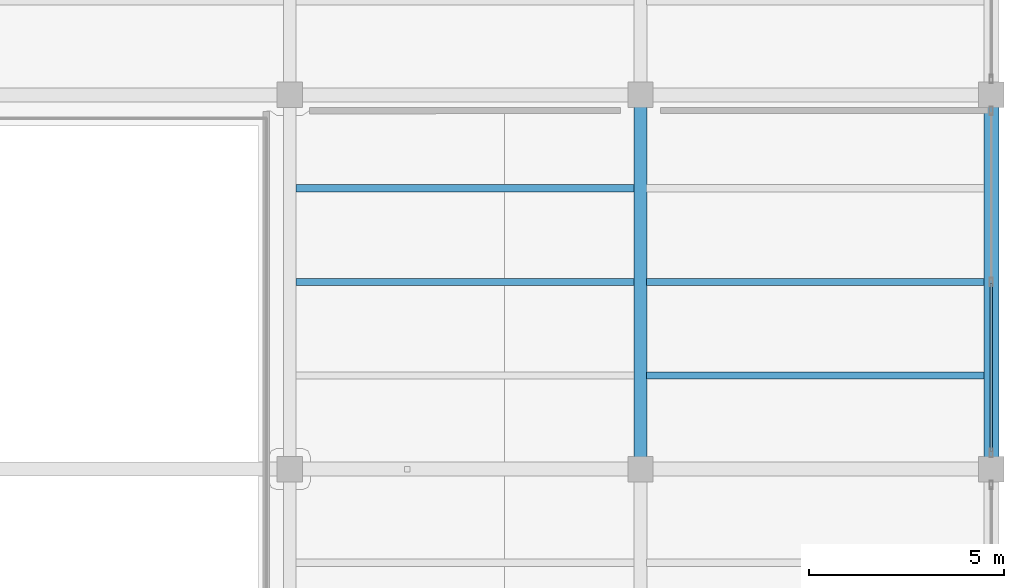
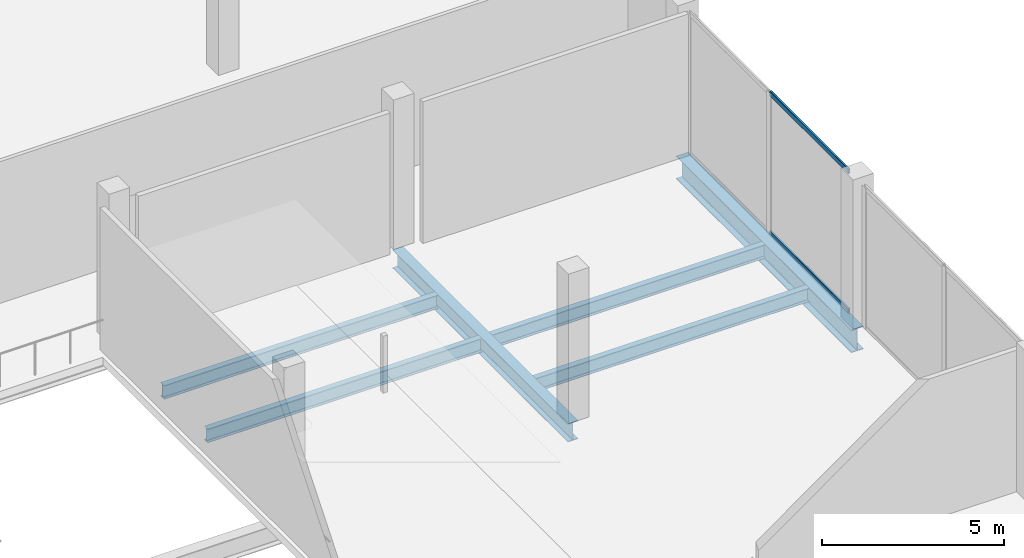
# One storey, part 19 of 46: 6 beams, 2 members, 1 element without a shape of its own.
"""IFC4 building model written with IfcOpenShell, lengths in metres."""

from ifc_helpers import new_model, si_unit, direction, frame, origin, origin_2d, place, context, subcontext, project, spatial, hollow_rectangle, i_section, extrude, material, layer, layer_set, material_profile, profile_set, type_object, element, aggregate, save


model = new_model("IFC4")

# Units and contexts
model_context = context("Model", 3, precision=1e-05, world=origin(), true_north=direction((0.0, 1.0)))
body_context = subcontext(model_context, "Body", "Model", "MODEL_VIEW")
ifc_project = project(units=[si_unit("LENGTHUNIT", "METRE"), si_unit("AREAUNIT", "SQUARE_METRE"), si_unit("VOLUMEUNIT", "CUBIC_METRE"), si_unit("PLANEANGLEUNIT", "RADIAN"), si_unit("MASSUNIT", "GRAM", prefix="KILO")], contexts=[model_context])

# Site, building, storey
site_placement = place(None, origin())
site = spatial("IfcSite", under=ifc_project, at=site_placement, CompositionType="ELEMENT")
building_placement = place(site_placement, origin())
building = spatial("IfcBuilding", under=site, at=building_placement, Name="Qorvath Tower", CompositionType="ELEMENT")
storey_placement = place(building_placement, frame((0.0, 0.0, 17.0)))
storey = spatial("IfcBuildingStorey", under=building, at=storey_placement, Name="L03", CompositionType="ELEMENT", Elevation=17.0)

# Beams
ifc_material_1 = material(Name="Steel ASTM A992 Grade 50", Category="steel")
ifc_material_profile_1 = material_profile(ifc_material_1, i_section(OverallWidth=0.381103515625, OverallDepth=0.77294921875, WebThickness=0.0166015625, FlangeThickness=0.027099609375, FilletRadius=0.01904296875, at=origin_2d()), Name="W30x173")
ifc_profile_set_1 = profile_set([ifc_material_profile_1], Name="Steel ASTM A992 Grade 50")
beam_type_1 = type_object("IfcBeamType", Name="BM-FG3", PredefinedType="BEAM", material=ifc_profile_set_1)
beam_1_placement = place(storey_placement, frame((77.39990234375, 0.0, -0.646484375), z_axis=(0.0, 1.0, 0.0), x_axis=(-1.0, 0.0, 0.0)))
element("IfcBeam", 1, at=beam_1_placement, inside=storey, type_object=beam_type_1, Name="Library N-S Girder L03-6-5", PredefinedType="BEAM", context=body_context, shape_type="SweptSolid", body=[
    extrude(i_section(OverallWidth=0.381103515625, OverallDepth=0.77294921875, WebThickness=0.0166015625, FlangeThickness=0.027099609375, FilletRadius=0.01904296875, at=origin_2d()), origin(), (0.0, 0.0, 1.0), 9.60009765625),
])
ifc_material_2 = material(Name="Steel ASTM A992 Grade 50", Category="steel")
ifc_material_profile_2 = material_profile(ifc_material_2, i_section(OverallWidth=0.324951171875, OverallDepth=0.615966796875, WebThickness=0.013916015625, FlangeThickness=0.021484375, FilletRadius=0.01611328125, at=origin_2d()), Name="W24x117")
ifc_profile_set_2 = profile_set([ifc_material_profile_2], Name="Steel ASTM A992 Grade 50")
beam_type_2 = type_object("IfcBeamType", Name="BM-FG5", PredefinedType="BEAM", material=ifc_profile_set_2)
beam_2_placement = place(storey_placement, frame((68.39990234375, 0.0, -0.568115234375), z_axis=(0.0, 1.0, 0.0), x_axis=(-1.0, 0.0, 0.0)))
element("IfcBeam", 2, at=beam_2_placement, inside=storey, type_object=beam_type_2, Name="Library N-S Girder L03-5-5", PredefinedType="BEAM", context=body_context, shape_type="SweptSolid", body=[
    extrude(i_section(OverallWidth=0.324951171875, OverallDepth=0.615966796875, WebThickness=0.013916015625, FlangeThickness=0.021484375, FilletRadius=0.01611328125, at=origin_2d()), origin(), (0.0, 0.0, 1.0), 9.60009765625),
])
ifc_material_3 = material(Name="Steel ASTM A992 Grade 50", Category="steel")
ifc_material_profile_3 = material_profile(ifc_material_3, i_section(OverallWidth=0.18994140625, OverallDepth=0.45703125, WebThickness=0.009033203125, FlangeThickness=0.014404296875, FilletRadius=0.011962890625, at=origin_2d()), Name="W18x50")
ifc_profile_set_3 = profile_set([ifc_material_profile_3], Name="Steel ASTM A992 Grade 50")
beam_type_3 = type_object("IfcBeamType", Name="BM-FJ2", PredefinedType="JOIST", material=ifc_profile_set_3)
beam_3_placement = place(storey_placement, frame((68.560546875, 2.39990234375, -0.488525390625), z_axis=(1.0, 0.0, 0.0), x_axis=(0.0, 1.0, 0.0)))
element("IfcBeam", 3, at=beam_3_placement, inside=storey, type_object=beam_type_3, Name="Library Stack Joist L03-5.1-5", PredefinedType="JOIST", context=body_context, shape_type="SweptSolid", body=[
    extrude(i_section(OverallWidth=0.18994140625, OverallDepth=0.45703125, WebThickness=0.009033203125, FlangeThickness=0.014404296875, FilletRadius=0.011962890625, at=origin_2d()), origin(), (0.0, 0.0, 1.0), 8.65087890625),
])
beam_4_placement = place(storey_placement, frame((59.560546875, 4.800048828125, -0.488525390625), z_axis=(1.0, 0.0, 0.0), x_axis=(0.0, 1.0, 0.0)))
element("IfcBeam", 4, at=beam_4_placement, inside=storey, type_object=beam_type_3, Name="Library Stack Joist L03-5.2-4", PredefinedType="JOIST", context=body_context, shape_type="SweptSolid", body=[
    extrude(i_section(OverallWidth=0.18994140625, OverallDepth=0.45703125, WebThickness=0.009033203125, FlangeThickness=0.014404296875, FilletRadius=0.011962890625, at=origin_2d()), origin(), (0.0, 0.0, 1.0), 8.678955078125),
])
beam_5_placement = place(storey_placement, frame((68.560546875, 4.800048828125, -0.488525390625), z_axis=(1.0, 0.0, 0.0), x_axis=(0.0, 1.0, 0.0)))
element("IfcBeam", 5, at=beam_5_placement, inside=storey, type_object=beam_type_3, Name="Library Stack Joist L03-5.2-5", PredefinedType="JOIST", context=body_context, shape_type="SweptSolid", body=[
    extrude(i_section(OverallWidth=0.18994140625, OverallDepth=0.45703125, WebThickness=0.009033203125, FlangeThickness=0.014404296875, FilletRadius=0.011962890625, at=origin_2d()), origin(), (0.0, 0.0, 1.0), 8.65087890625),
])
beam_6_placement = place(storey_placement, frame((59.560546875, 7.199951171875, -0.488525390625), z_axis=(1.0, 0.0, 0.0), x_axis=(0.0, 1.0, 0.0)))
element("IfcBeam", 6, at=beam_6_placement, inside=storey, type_object=beam_type_3, Name="Library Stack Joist L03-5.3-4", PredefinedType="JOIST", context=body_context, shape_type="SweptSolid", body=[
    extrude(i_section(OverallWidth=0.18994140625, OverallDepth=0.45703125, WebThickness=0.009033203125, FlangeThickness=0.014404296875, FilletRadius=0.011962890625, at=origin_2d()), origin(), (0.0, 0.0, 1.0), 8.678955078125),
])

# Curtain wall, members
ifc_material_4 = material(Name="Anodised aluminium and triple low-E glass", Category="aluminium")
ifc_layer = layer(ifc_material_4, 0.179931640625)
ifc_layer_set = layer_set([ifc_layer], Name="CW-SYS-6")
curtain_wall_type = type_object("IfcCurtainWallType", Name="CW-SYS-6", PredefinedType="NOTDEFINED", material=ifc_layer_set)
curtain_wall_placement = place(storey_placement, origin())
curtain_wall = element("IfcCurtainWall", 7, at=curtain_wall_placement, inside=storey, type_object=curtain_wall_type, Name="Curtain Wall CW-6 CW-LIB-E-L03-5", PredefinedType="NOTDEFINED")
ifc_material_5 = material(Name="Anodised aluminium 6063-T6", Category="aluminium")
ifc_material_profile_4 = material_profile(ifc_material_5, hollow_rectangle(XDim=0.06494140625, YDim=0.159912109375, WallThickness=0.00341796875, InnerFilletRadius=0.00341796875, OuterFilletRadius=0.007080078125, at=origin_2d()), Name="CWT 160x65")
ifc_profile_set_4 = profile_set([ifc_material_profile_4], Name="Anodised aluminium 6063-T6")
member_type = type_object("IfcMemberType", Name="CWT-160", PredefinedType="USERDEFINED", material=ifc_profile_set_4)
member_1_placement = place(storey_placement, frame((77.39990234375, 0.4501953125, 0.032470703125), z_axis=(0.0, 1.0, 0.0), x_axis=(-1.0, 0.0, 0.0)))
member_1 = element("IfcMember", 8, at=member_1_placement, type_object=member_type, Name="CW-6 transom 1.1", ObjectType="TRANSOM", PredefinedType="USERDEFINED", context=body_context, shape_type="SweptSolid", body=[
    extrude(hollow_rectangle(XDim=0.06494140625, YDim=0.159912109375, WallThickness=0.00341796875, InnerFilletRadius=0.00341796875, OuterFilletRadius=0.007080078125, at=origin_2d()), origin(), (0.0, 0.0, 1.0), 4.309814453125),
])
member_2_placement = place(storey_placement, frame((77.39990234375, 0.4501953125, 4.70751953125), z_axis=(0.0, 1.0, 0.0), x_axis=(-1.0, 0.0, 0.0)))
member_2 = element("IfcMember", 9, at=member_2_placement, type_object=member_type, Name="CW-6 transom 1.2", ObjectType="TRANSOM", PredefinedType="USERDEFINED", context=body_context, shape_type="SweptSolid", body=[
    extrude(hollow_rectangle(XDim=0.06494140625, YDim=0.159912109375, WallThickness=0.00341796875, InnerFilletRadius=0.00341796875, OuterFilletRadius=0.007080078125, at=origin_2d()), origin(), (0.0, 0.0, 1.0), 4.309814453125),
])
aggregate(curtain_wall, [member_1, member_2])

save(model, "model.ifc")
